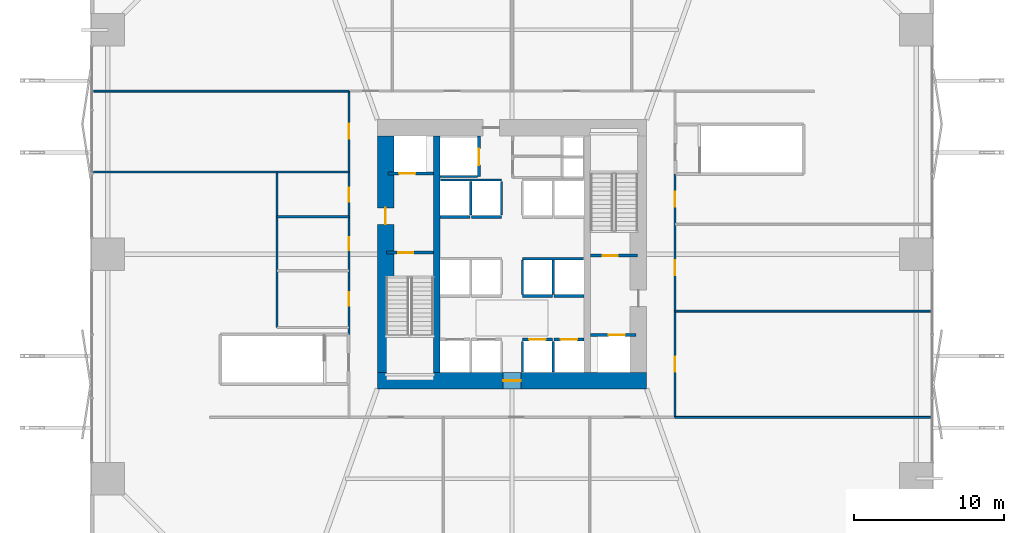
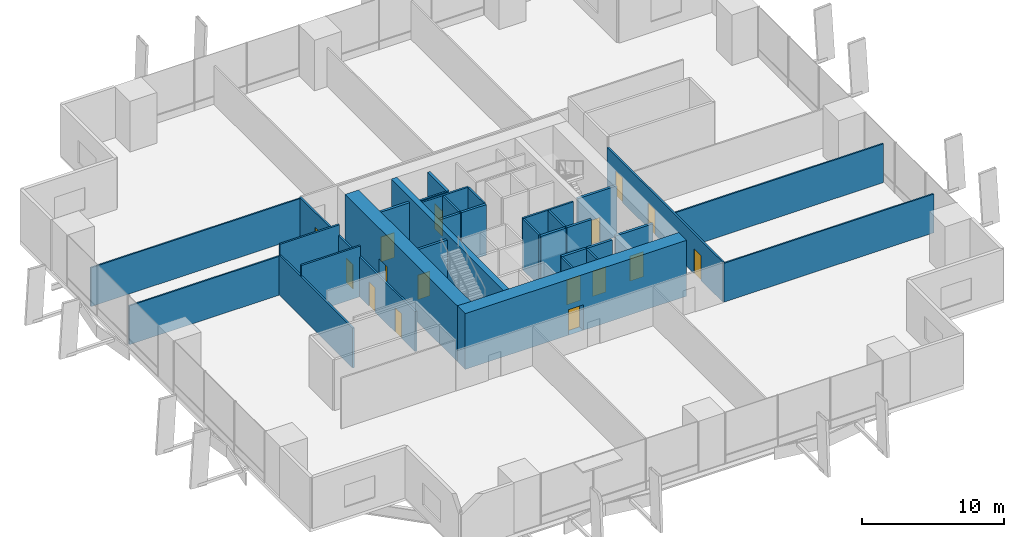
# One storey, part 20 of 24: 32 walls, 16 doors, 16 openings.
"""IFC4 building model written with IfcOpenShell, lengths in metres."""

from ifc_helpers import new_model, si_unit, direction, frame, frame_2d, origin, place, context, subcontext, project, spatial, rectangle, extrude, material, layer, layer_set, type_object, element, fill, save


model = new_model("IFC4")

# Units and contexts
model_context = context("Model", 3, precision=1e-05, world=origin(), true_north=direction((0.0, 1.0)))
body_context = subcontext(model_context, "Body", "Model", "MODEL_VIEW")
ifc_project = project(units=[si_unit("LENGTHUNIT", "METRE"), si_unit("AREAUNIT", "SQUARE_METRE"), si_unit("VOLUMEUNIT", "CUBIC_METRE"), si_unit("PLANEANGLEUNIT", "RADIAN"), si_unit("MASSUNIT", "GRAM", prefix="KILO")], contexts=[model_context])

# Site, building, storey
site_placement = place(None, origin())
site = spatial("IfcSite", under=ifc_project, at=site_placement, CompositionType="ELEMENT")
building_placement = place(site_placement, origin())
building = spatial("IfcBuilding", under=site, at=building_placement, Name="Belovzor Exchange Tower", CompositionType="ELEMENT")
storey_placement = place(building_placement, frame((0.0, 0.0, 19.199951171875)))
storey = spatial("IfcBuildingStorey", under=building, at=storey_placement, Name="L04", CompositionType="ELEMENT", Elevation=19.199951171875)

# Walls
ifc_material_1 = material(Name="Acoustic Plasterboard on Galvanised Studs", Category="gypsum")
ifc_layer_1 = layer(ifc_material_1, 0.1201171875)
ifc_layer_set_1 = layer_set([ifc_layer_1], Name="Acoustic Plasterboard on Galvanised Studs")
wall_type_1 = type_object("IfcWallType", Name="Acoustic Double-Stud Partition Wall 120", PredefinedType="PARTITIONING", material=ifc_layer_set_1)
wall_1_placement = place(storey_placement, frame((39.699951171875, 25.0, 0.0), z_axis=(0.0, 0.0, 1.0), x_axis=(1.0, 0.0, 0.0)))
element("IfcWall", 1, at=wall_1_placement, inside=storey, type_object=wall_type_1, Name="W-P120 Partition Wall W-L04-ED1", PredefinedType="PARTITIONING", context=body_context, shape_type="SweptSolid", body=[
    extrude(rectangle(XDim=17.050048828125, YDim=0.1201171875, at=frame_2d((8.52490234375, 0.0))), origin(), (0.0, 0.0, 1.0), 3.3349609375),
])
wall_2_placement = place(storey_placement, frame((0.85009765625, 34.300048828125, 0.0), z_axis=(0.0, 0.0, 1.0), x_axis=(1.0, 0.0, 0.0)))
element("IfcWall", 2, at=wall_2_placement, inside=storey, type_object=wall_type_1, Name="W-P120 Partition Wall W-L04-W1S", PredefinedType="PARTITIONING", context=body_context, shape_type="SweptSolid", body=[
    extrude(rectangle(XDim=12.25, YDim=0.1201171875, at=frame_2d((6.125, 0.0))), origin(), (0.0, 0.0, 1.0), 3.3349609375),
])
wall_3_placement = place(storey_placement, frame((39.699951171875, 17.89990234375, 0.0), z_axis=(0.0, 0.0, 1.0), x_axis=(1.0, 0.0, 0.0)))
element("IfcWall", 3, at=wall_3_placement, inside=storey, type_object=wall_type_1, Name="W-P120 Partition Wall W-L04-OUT-SE", PredefinedType="PARTITIONING", context=body_context, shape_type="SweptSolid", body=[
    extrude(rectangle(XDim=17.050048828125, YDim=0.1201171875, at=frame_2d((8.52490234375, 0.0))), origin(), (0.0, 0.0, 1.0), 3.3349609375),
])
wall_4_placement = place(storey_placement, frame((0.85009765625, 39.699951171875, 0.0), z_axis=(0.0, 0.0, 1.0), x_axis=(1.0, 0.0, 0.0)))
element("IfcWall", 4, at=wall_4_placement, inside=storey, type_object=wall_type_1, Name="W-P120 Partition Wall W-L04-OUT-NW", PredefinedType="PARTITIONING", context=body_context, shape_type="SweptSolid", body=[
    extrude(rectangle(XDim=17.0498046875, YDim=0.1201171875, at=frame_2d((8.52490234375, 0.0))), origin(), (0.0, 0.0, 1.0), 3.3349609375),
])
ifc_material_2 = material(Name="Fire-Rated Gypsum Block and Mineral Wool", Category="gypsum")
ifc_layer_2 = layer(ifc_material_2, 0.14990234375)
ifc_layer_set_2 = layer_set([ifc_layer_2], Name="Fire-Rated Gypsum Block and Mineral Wool")
wall_type_2 = type_object("IfcWallType", Name="Fire-Rated Gypsum Block Corridor Wall 150", PredefinedType="PARTITIONING", material=ifc_layer_set_2)
wall_5_placement = place(storey_placement, frame((13.10009765625, 23.89990234375, 0.0), z_axis=(0.0, 0.0, 1.0), x_axis=(0.0, 1.0, 0.0)))
element("IfcWall", 5, at=wall_5_placement, inside=storey, type_object=wall_type_2, Name="W-P150 Partition Wall W-L04-WC-W", PredefinedType="PARTITIONING", context=body_context, shape_type="SweptSolid", body=[
    extrude(rectangle(XDim=10.400146484375, YDim=0.14990234375, at=frame_2d((5.2001953125, 0.0))), origin(), (0.0, 0.0, 1.0), 3.43505859375),
])
for number, where, z_axis, x_axis, name in (
    (6, (13.10009765625, 34.300048828125, 0.0), (0.0, 0.0, 1.0), (1.0, 0.0, 0.0), "W-P150 Partition Wall W-L04-WC-N"),
    (7, (13.10009765625, 31.300048828125, 0.0), (0.0, 0.0, 1.0), (1.0, 0.0, 0.0), "W-P150 Partition Wall W-L04-WC-D2"),
):
    element("IfcWall", number, at=place(storey_placement, frame(where, z_axis=z_axis, x_axis=x_axis)), inside=storey, type_object=wall_type_2, Name=name, PredefinedType="PARTITIONING", context=body_context, shape_type="SweptSolid", body=[
        extrude(rectangle(XDim=4.7998046875, YDim=0.14990234375, at=frame_2d((2.39990234375, 0.0))), origin(), (0.0, 0.0, 1.0), 4.35009765625),
    ])

# Wall, openings, doors
wall_6_placement = place(storey_placement, frame((17.89990234375, 23.449951171875, 0.0), z_axis=(0.0, 0.0, 1.0), x_axis=(0.0, 1.0, 0.0)))
wall_6 = element("IfcWall", 8, at=wall_6_placement, inside=storey, type_object=wall_type_2, Name="W-P150 Partition Wall W-L04-CWN", PredefinedType="PARTITIONING", context=body_context, shape_type="SweptSolid", body=[
    extrude(rectangle(XDim=16.25, YDim=0.14990234375, at=frame_2d((8.125, 0.0))), origin(), (0.0, 0.0, 1.0), 3.43505859375),
])
opening_1_placement = place(wall_6_placement, frame((1.89990234375, 0.0, 0.0)))
opening_1 = element("IfcOpeningElement", 9, at=opening_1_placement, cuts=wall_6, Name="Opening D-FD60-090", PredefinedType="OPENING", context=body_context, shape_type="SweptSolid", body=[
    extrude(rectangle(XDim=0.89990234375, YDim=2.10009765625, at=frame_2d((0.449951171875, 1.050048828125))), frame((0.0, 0.0849609375, 0.0), z_axis=(0.0, -1.0, 0.0), x_axis=(1.0, 0.0, 0.0)), (0.0, 0.0, 1.0), 0.169921875),
])
opening_2_placement = place(wall_6_placement, frame((5.60009765625, 0.0, 0.0)))
opening_2 = element("IfcOpeningElement", 10, at=opening_2_placement, cuts=wall_6, Name="Opening D-FD60-090", PredefinedType="OPENING", context=body_context, shape_type="SweptSolid", body=[
    extrude(rectangle(XDim=0.89990234375, YDim=2.10009765625, at=frame_2d((0.449951171875, 1.050048828125))), frame((0.0, 0.0849609375, 0.0), z_axis=(0.0, -1.0, 0.0), x_axis=(1.0, 0.0, 0.0)), (0.0, 0.0, 1.0), 0.169921875),
])
opening_3_placement = place(wall_6_placement, frame((8.85009765625, 0.0, 0.0)))
opening_3 = element("IfcOpeningElement", 11, at=opening_3_placement, cuts=wall_6, Name="Opening D-FD60-095", PredefinedType="OPENING", context=body_context, shape_type="SweptSolid", body=[
    extrude(rectangle(XDim=0.949951171875, YDim=2.10009765625, at=frame_2d((0.47509765625, 1.050048828125))), frame((0.0, 0.0849609375, 0.0), z_axis=(0.0, -1.0, 0.0), x_axis=(1.0, 0.0, 0.0)), (0.0, 0.0, 1.0), 0.169921875),
])
opening_4_placement = place(wall_6_placement, frame((13.074951171875, 0.0, 0.0)))
opening_4 = element("IfcOpeningElement", 12, at=opening_4_placement, cuts=wall_6, Name="Opening D-FD60-105", PredefinedType="OPENING", context=body_context, shape_type="SweptSolid", body=[
    extrude(rectangle(XDim=1.0, YDim=2.14990234375, at=frame_2d((0.5, 1.074951171875))), frame((0.0, 0.0849609375, 0.0), z_axis=(0.0, -1.0, 0.0), x_axis=(1.0, 0.0, 0.0)), (0.0, 0.0, 1.0), 0.169921875),
])
ifc_material_3 = material(Name="Moisture-Resistant Timber Fire Leaf", Category="wood")
door_type_1 = type_object("IfcDoorType", Name="Accessible Restroom Wide Fire Door 950x2100", OperationType="NOTDEFINED", PredefinedType="DOOR", material=ifc_material_3)
door_1_placement = place(opening_3_placement, origin())
door_1 = element("IfcDoor", 13, at=door_1_placement, inside=storey, type_object=door_type_1, Name="D-FD60-095 Accessible Restroom Wide Fire Door 950x2100", OperationType="SINGLE_SWING_LEFT", OverallHeight=2.10009765625, OverallWidth=0.949951171875, PredefinedType="DOOR", context=body_context, shape_type="SweptSolid", body=[
    extrude(rectangle(XDim=0.949951171875, YDim=2.10009765625, at=frame_2d((0.47509765625, 1.050048828125))), frame((0.0, 0.02490234375, 0.0), z_axis=(0.0, -1.0, 0.0), x_axis=(1.0, 0.0, 0.0)), (0.0, 0.0, 1.0), 0.050048828125),
])
fill(opening_3, door_1)
ifc_material_4 = material(Name="Acoustic Timber Fire Leaf", Category="wood")
door_type_2 = type_object("IfcDoorType", Name="Core Service & Restroom Fire Door 900x2100", OperationType="NOTDEFINED", PredefinedType="DOOR", material=ifc_material_4)
door_2_placement = place(opening_1_placement, origin())
door_2 = element("IfcDoor", 14, at=door_2_placement, inside=storey, type_object=door_type_2, Name="D-FD60-090 Core Service & Restroom Fire Door 900x2100", OperationType="SINGLE_SWING_LEFT", OverallHeight=2.10009765625, OverallWidth=0.89990234375, PredefinedType="DOOR", context=body_context, shape_type="SweptSolid", body=[
    extrude(rectangle(XDim=0.89990234375, YDim=2.10009765625, at=frame_2d((0.449951171875, 1.050048828125))), frame((0.0, 0.02490234375, 0.0), z_axis=(0.0, -1.0, 0.0), x_axis=(1.0, 0.0, 0.0)), (0.0, 0.0, 1.0), 0.050048828125),
])
fill(opening_1, door_2)
door_3_placement = place(opening_2_placement, origin())
door_3 = element("IfcDoor", 15, at=door_3_placement, inside=storey, type_object=door_type_2, Name="D-FD60-090 Core Service & Restroom Fire Door 900x2100", OperationType="SINGLE_SWING_RIGHT", OverallHeight=2.10009765625, OverallWidth=0.89990234375, PredefinedType="DOOR", context=body_context, shape_type="SweptSolid", body=[
    extrude(rectangle(XDim=0.89990234375, YDim=2.10009765625, at=frame_2d((0.449951171875, 1.050048828125))), frame((0.0, 0.02490234375, 0.0), z_axis=(0.0, -1.0, 0.0), x_axis=(1.0, 0.0, 0.0)), (0.0, 0.0, 1.0), 0.050048828125),
])
fill(opening_2, door_3)
ifc_material_5 = material(Name="Acoustic Timber Fire Leaf", Category="wood")
door_type_3 = type_object("IfcDoorType", Name="Podium Gallery Acoustic Fire Door 1000x2150", OperationType="NOTDEFINED", PredefinedType="DOOR", material=ifc_material_5)
door_4_placement = place(opening_4_placement, origin())
door_4 = element("IfcDoor", 16, at=door_4_placement, inside=storey, type_object=door_type_3, Name="D-FD60-105 Podium Gallery Acoustic Fire Door 1000x2150", OperationType="SINGLE_SWING_RIGHT", OverallHeight=2.14990234375, OverallWidth=1.0, PredefinedType="DOOR", context=body_context, shape_type="SweptSolid", body=[
    extrude(rectangle(XDim=1.0, YDim=2.14990234375, at=frame_2d((0.5, 1.074951171875))), frame((0.0, 0.02490234375, 0.0), z_axis=(0.0, -1.0, 0.0), x_axis=(1.0, 0.0, 0.0)), (0.0, 0.0, 1.0), 0.050048828125),
])
fill(opening_4, door_4)

wall_7_placement = place(storey_placement, frame((39.699951171875, 17.89990234375, 0.0), z_axis=(0.0, 0.0, 1.0), x_axis=(0.0, 1.0, 0.0)))
wall_7 = element("IfcWall", 17, at=wall_7_placement, inside=storey, type_object=wall_type_2, Name="W-P150 Partition Wall W-L04-CES", PredefinedType="PARTITIONING", context=body_context, shape_type="SweptSolid", body=[
    extrude(rectangle(XDim=16.25, YDim=0.14990234375, at=frame_2d((8.125, 0.0))), origin(), (0.0, 0.0, 1.0), 3.43505859375),
])
opening_5_placement = place(wall_7_placement, frame((3.050048828125, 0.0, 0.0)))
opening_5 = element("IfcOpeningElement", 18, at=opening_5_placement, cuts=wall_7, Name="Opening D-FD60-105", PredefinedType="OPENING", context=body_context, shape_type="SweptSolid", body=[
    extrude(rectangle(XDim=1.0, YDim=2.14990234375, at=frame_2d((0.5, 1.074951171875))), frame((0.0, 0.0849609375, 0.0), z_axis=(0.0, -1.0, 0.0), x_axis=(1.0, 0.0, 0.0)), (0.0, 0.0, 1.0), 0.169921875),
])
opening_6_placement = place(wall_7_placement, frame((9.5, 0.0, 0.0)))
opening_6 = element("IfcOpeningElement", 19, at=opening_6_placement, cuts=wall_7, Name="Opening D-FD60-105", PredefinedType="OPENING", context=body_context, shape_type="SweptSolid", body=[
    extrude(rectangle(XDim=1.0, YDim=2.14990234375, at=frame_2d((0.5, 1.074951171875))), frame((0.0, 0.0849609375, 0.0), z_axis=(0.0, -1.0, 0.0), x_axis=(1.0, 0.0, 0.0)), (0.0, 0.0, 1.0), 0.169921875),
])
opening_7_placement = place(wall_7_placement, frame((14.074951171875, 0.0, 0.0)))
opening_7 = element("IfcOpeningElement", 20, at=opening_7_placement, cuts=wall_7, Name="Opening D-FD60-105", PredefinedType="OPENING", context=body_context, shape_type="SweptSolid", body=[
    extrude(rectangle(XDim=1.0, YDim=2.14990234375, at=frame_2d((0.5, 1.074951171875))), frame((0.0, 0.0849609375, 0.0), z_axis=(0.0, -1.0, 0.0), x_axis=(1.0, 0.0, 0.0)), (0.0, 0.0, 1.0), 0.169921875),
])
door_5_placement = place(opening_5_placement, origin())
door_5 = element("IfcDoor", 21, at=door_5_placement, inside=storey, type_object=door_type_3, Name="D-FD60-105 Podium Gallery Acoustic Fire Door 1000x2150", OperationType="SINGLE_SWING_LEFT", OverallHeight=2.14990234375, OverallWidth=1.0, PredefinedType="DOOR", context=body_context, shape_type="SweptSolid", body=[
    extrude(rectangle(XDim=1.0, YDim=2.14990234375, at=frame_2d((0.5, 1.074951171875))), frame((0.0, 0.02490234375, 0.0), z_axis=(0.0, -1.0, 0.0), x_axis=(1.0, 0.0, 0.0)), (0.0, 0.0, 1.0), 0.050048828125),
])
fill(opening_5, door_5)
door_6_placement = place(opening_6_placement, origin())
door_6 = element("IfcDoor", 22, at=door_6_placement, inside=storey, type_object=door_type_3, Name="D-FD60-105 Podium Gallery Acoustic Fire Door 1000x2150", OperationType="SINGLE_SWING_LEFT", OverallHeight=2.14990234375, OverallWidth=1.0, PredefinedType="DOOR", context=body_context, shape_type="SweptSolid", body=[
    extrude(rectangle(XDim=1.0, YDim=2.14990234375, at=frame_2d((0.5, 1.074951171875))), frame((0.0, 0.02490234375, 0.0), z_axis=(0.0, -1.0, 0.0), x_axis=(1.0, 0.0, 0.0)), (0.0, 0.0, 1.0), 0.050048828125),
])
fill(opening_6, door_6)
door_7_placement = place(opening_7_placement, origin())
door_7 = element("IfcDoor", 23, at=door_7_placement, inside=storey, type_object=door_type_3, Name="D-FD60-105 Podium Gallery Acoustic Fire Door 1000x2150", OperationType="SINGLE_SWING_LEFT", OverallHeight=2.14990234375, OverallWidth=1.0, PredefinedType="DOOR", context=body_context, shape_type="SweptSolid", body=[
    extrude(rectangle(XDim=1.0, YDim=2.14990234375, at=frame_2d((0.5, 1.074951171875))), frame((0.0, 0.02490234375, 0.0), z_axis=(0.0, -1.0, 0.0), x_axis=(1.0, 0.0, 0.0)), (0.0, 0.0, 1.0), 0.050048828125),
])
fill(opening_7, door_7)

# Walls
ifc_material_6 = material(Name="Concrete C50/60", Category="concrete")
ifc_layer_3 = layer(ifc_material_6, 0.449951171875)
ifc_layer_set_3 = layer_set([ifc_layer_3], Name="Concrete C50/60")
wall_type_3 = type_object("IfcWallType", Name="Reinforced Concrete Core Internal Web Wall 450", PredefinedType="SHEAR", material=ifc_layer_set_3)
wall_8_placement = place(storey_placement, frame((23.77490234375, 20.89990234375, 0.0), z_axis=(0.0, 0.0, 1.0), x_axis=(0.0, 1.0, 0.0)))
element("IfcWall", 24, at=wall_8_placement, inside=storey, type_object=wall_type_3, Name="CW-W045 Core Internal Web Wall L04 WL", PredefinedType="SHEAR", context=body_context, shape_type="SweptSolid", body=[
    extrude(rectangle(XDim=15.800048828125, YDim=0.449951171875, at=frame_2d((7.89990234375, 0.0))), origin(), (0.0, 0.0, 1.0), 4.800048828125),
])
ifc_material_7 = material(Name="Concrete C50/60", Category="concrete")
ifc_layer_4 = layer(ifc_material_7, 0.14990234375)
ifc_layer_set_4 = layer_set([ifc_layer_4], Name="Concrete C50/60")
wall_type_4 = type_object("IfcWallType", Name="Reinforced Concrete Core Riser Shear Wall 150", PredefinedType="SHEAR", material=ifc_layer_set_4)
wall_9_placement = place(storey_placement, frame((24.0, 34.0, 0.0), z_axis=(0.0, 0.0, 1.0), x_axis=(1.0, 0.0, 0.0)))
element("IfcWall", 25, at=wall_9_placement, inside=storey, type_object=wall_type_4, Name="W-C150S Core Shaft Wall W-SH-L04-SL-01S", PredefinedType="SHEAR", context=body_context, shape_type="SweptSolid", body=[
    extrude(rectangle(XDim=2.47998046875, YDim=0.14990234375, at=frame_2d((1.239990234375, 0.0))), origin(), (0.0, 0.0, 1.0), 4.35009765625),
])
for number, where, z_axis, x_axis, name in (
    (26, (29.5, 20.919921875, 0.0), (0.0, 0.0, 1.0), (0.0, 1.0, 0.0), "W-C150S Core Shaft Wall W-SHD-L04-PLL-3"),
    (27, (31.550048828125, 20.919921875, 0.0), (0.0, 0.0, 1.0), (0.0, 1.0, 0.0), "W-C150S Core Shaft Wall W-SHD-L04-PLL-4"),
):
    element("IfcWall", number, at=place(storey_placement, frame(where, z_axis=z_axis, x_axis=x_axis)), inside=storey, type_object=wall_type_4, Name=name, PredefinedType="SHEAR", context=body_context, shape_type="SweptSolid", body=[
        extrude(rectangle(XDim=2.06005859375, YDim=0.14990234375, at=frame_2d((1.030029296875, 0.0))), origin(), (0.0, 0.0, 1.0), 4.35009765625),
    ])
wall_10_placement = place(storey_placement, frame((29.5, 28.5, 0.0), z_axis=(0.0, 0.0, 1.0), x_axis=(1.0, 0.0, 0.0)))
element("IfcWall", 28, at=wall_10_placement, inside=storey, type_object=wall_type_4, Name="W-C150S Core Shaft Wall W-SHB-L04-PLM-NE", PredefinedType="SHEAR", context=body_context, shape_type="SweptSolid", body=[
    extrude(rectangle(XDim=4.080078125, YDim=0.14990234375, at=frame_2d((2.0400390625, 0.0))), origin(), (0.0, 0.0, 1.0), 4.35009765625),
])
for number, where, z_axis, x_axis, name in (
    (29, (29.5, 26.1201171875, 0.0), (0.0, 0.0, 1.0), (0.0, 1.0, 0.0), "W-C150S Core Shaft Wall W-SHD-L04-PLM-3"),
    (30, (31.550048828125, 26.1201171875, 0.0), (0.0, 0.0, 1.0), (0.0, 1.0, 0.0), "W-C150S Core Shaft Wall W-SHD-L04-PLM-4"),
):
    element("IfcWall", number, at=place(storey_placement, frame(where, z_axis=z_axis, x_axis=x_axis)), inside=storey, type_object=wall_type_4, Name=name, PredefinedType="SHEAR", context=body_context, shape_type="SweptSolid", body=[
        extrude(rectangle(XDim=2.27978515625, YDim=0.14990234375, at=frame_2d((1.139892578125, 0.0))), origin(), (0.0, 0.0, 1.0), 4.35009765625),
    ])
wall_11_placement = place(storey_placement, frame((24.02001953125, 33.760009765625, 0.0), z_axis=(0.0, 0.0, 1.0), x_axis=(1.0, 0.0, 0.0)))
element("IfcWall", 31, at=wall_11_placement, inside=storey, type_object=wall_type_4, Name="W-C150S Core Shaft Wall W-SHB-L04-PLH-NW", PredefinedType="SHEAR", context=body_context, shape_type="SweptSolid", body=[
    extrude(rectangle(XDim=4.080078125, YDim=0.14990234375, at=frame_2d((2.0400390625, 0.0))), origin(), (0.0, 0.0, 1.0), 4.35009765625),
])
for number, where, z_axis, x_axis, name in (
    (32, (26.050048828125, 31.419921875, 0.0), (0.0, 0.0, 1.0), (0.0, 1.0, 0.0), "W-C150S Core Shaft Wall W-SHD-L04-PLH-1"),
    (33, (28.10009765625, 31.419921875, 0.0), (0.0, 0.0, 1.0), (0.0, 1.0, 0.0), "W-C150S Core Shaft Wall W-SHD-L04-PLH-2"),
):
    element("IfcWall", number, at=place(storey_placement, frame(where, z_axis=z_axis, x_axis=x_axis)), inside=storey, type_object=wall_type_4, Name=name, PredefinedType="SHEAR", context=body_context, shape_type="SweptSolid", body=[
        extrude(rectangle(XDim=2.239990234375, YDim=0.14990234375, at=frame_2d((1.1201171875, 0.0))), origin(), (0.0, 0.0, 1.0), 4.35009765625),
    ])

# Wall, opening, door
ifc_material_8 = material(Name="Concrete C50/60", Category="concrete")
ifc_layer_5 = layer(ifc_material_8, 0.199951171875)
ifc_layer_set_5 = layer_set([ifc_layer_5], Name="Concrete C50/60")
wall_type_5 = type_object("IfcWallType", Name="Reinforced Concrete Core Shaft Shear Wall 200", PredefinedType="SHEAR", material=ifc_layer_set_5)
wall_12_placement = place(storey_placement, frame((20.39990234375, 28.89990234375, 0.0), z_axis=(0.0, 0.0, 1.0), x_axis=(1.0, 0.0, 0.0)))
wall_12 = element("IfcWall", 34, at=wall_12_placement, inside=storey, type_object=wall_type_5, Name="W-C200S Core Shaft Wall W-CORE-L04-FFLW1", PredefinedType="SHEAR", context=body_context, shape_type="SweptSolid", body=[
    extrude(rectangle(XDim=3.150146484375, YDim=0.199951171875, at=frame_2d((1.5751953125, 0.0))), origin(), (0.0, 0.0, 1.0), 4.35009765625),
])
opening_8_placement = place(wall_12_placement, frame((0.800048828125, 0.0, 0.0)))
opening_8 = element("IfcOpeningElement", 35, at=opening_8_placement, cuts=wall_12, Name="Opening D-FD90-100", PredefinedType="OPENING", context=body_context, shape_type="SweptSolid", body=[
    extrude(rectangle(XDim=1.0, YDim=2.10009765625, at=frame_2d((0.5, 1.050048828125))), frame((0.0, 0.10986328125, 0.0), z_axis=(0.0, -1.0, 0.0), x_axis=(1.0, 0.0, 0.0)), (0.0, 0.0, 1.0), 0.219970703125),
])
ifc_material_9 = material(Name="Fire-Rated Galvanised Steel Leaf", Category="steel")
door_type_4 = type_object("IfcDoorType", Name="Protected Stairwell Single Fire Door 1000x2100", OperationType="NOTDEFINED", PredefinedType="DOOR", material=ifc_material_9)
door_8_placement = place(opening_8_placement, origin())
door_8 = element("IfcDoor", 36, at=door_8_placement, inside=storey, type_object=door_type_4, Name="D-FD90-100 Protected Stairwell Single Fire Door 1000x2100", OperationType="SINGLE_SWING_RIGHT", OverallHeight=2.10009765625, OverallWidth=1.0, PredefinedType="DOOR", context=body_context, shape_type="SweptSolid", body=[
    extrude(rectangle(XDim=1.0, YDim=2.10009765625, at=frame_2d((0.5, 1.050048828125))), frame((0.0, 0.02490234375, 0.0), z_axis=(0.0, -1.0, 0.0), x_axis=(1.0, 0.0, 0.0)), (0.0, 0.0, 1.0), 0.050048828125),
])
fill(opening_8, door_8)

wall_13_placement = place(storey_placement, frame((34.050048828125, 28.699951171875, 0.0), z_axis=(0.0, 0.0, 1.0), x_axis=(1.0, 0.0, 0.0)))
wall_13 = element("IfcWall", 37, at=wall_13_placement, inside=storey, type_object=wall_type_5, Name="W-C200S Core Shaft Wall W-CORE-L04-FFLE2", PredefinedType="SHEAR", context=body_context, shape_type="SweptSolid", body=[
    extrude(rectangle(XDim=3.14990234375, YDim=0.199951171875, at=frame_2d((1.574951171875, 0.0))), origin(), (0.0, 0.0, 1.0), 4.35009765625),
])
opening_9_placement = place(wall_13_placement, frame((0.800048828125, 0.0, 0.0)))
opening_9 = element("IfcOpeningElement", 38, at=opening_9_placement, cuts=wall_13, Name="Opening D-FD90-100", PredefinedType="OPENING", context=body_context, shape_type="SweptSolid", body=[
    extrude(rectangle(XDim=1.0, YDim=2.10009765625, at=frame_2d((0.5, 1.050048828125))), frame((0.0, 0.10986328125, 0.0), z_axis=(0.0, -1.0, 0.0), x_axis=(1.0, 0.0, 0.0)), (0.0, 0.0, 1.0), 0.219970703125),
])
door_9_placement = place(opening_9_placement, origin())
door_9 = element("IfcDoor", 39, at=door_9_placement, inside=storey, type_object=door_type_4, Name="D-FD90-100 Protected Stairwell Single Fire Door 1000x2100", OperationType="SINGLE_SWING_LEFT", OverallHeight=2.10009765625, OverallWidth=1.0, PredefinedType="DOOR", context=body_context, shape_type="SweptSolid", body=[
    extrude(rectangle(XDim=1.0, YDim=2.10009765625, at=frame_2d((0.5, 1.050048828125))), frame((0.0, 0.02490234375, 0.0), z_axis=(0.0, -1.0, 0.0), x_axis=(1.0, 0.0, 0.0)), (0.0, 0.0, 1.0), 0.050048828125),
])
fill(opening_9, door_9)

wall_14_placement = place(storey_placement, frame((20.5, 34.199951171875, 0.0), z_axis=(0.0, 0.0, 1.0), x_axis=(1.0, 0.0, 0.0)))
wall_14 = element("IfcWall", 40, at=wall_14_placement, inside=storey, type_object=wall_type_5, Name="W-C200S Core Shaft Wall W-SH-L04-FFL-01", PredefinedType="SHEAR", context=body_context, shape_type="SweptSolid", body=[
    extrude(rectangle(XDim=3.050048828125, YDim=0.199951171875, at=frame_2d((1.52490234375, 0.0))), origin(), (0.0, 0.0, 1.0), 4.35009765625),
])
opening_10_placement = place(wall_14_placement, frame((0.75, 0.0, 0.0)))
opening_10 = element("IfcOpeningElement", 41, at=opening_10_placement, cuts=wall_14, Name="Opening LD-110", PredefinedType="OPENING", context=body_context, shape_type="SweptSolid", body=[
    extrude(rectangle(XDim=1.10009765625, YDim=2.14990234375, at=frame_2d((0.550048828125, 1.074951171875))), frame((0.0, 0.10986328125, 0.0), z_axis=(0.0, -1.0, 0.0), x_axis=(1.0, 0.0, 0.0)), (0.0, 0.0, 1.0), 0.219970703125),
])
ifc_material_10 = material(Name="Stainless Steel Grade 304", Category="steel")
door_type_5 = type_object("IfcDoorType", Name="Automated Stainless Steel Lift Landing Door 1100x2150", OperationType="SLIDING_TO_RIGHT", PredefinedType="DOOR", material=ifc_material_10)
door_10_placement = place(opening_10_placement, origin())
door_10 = element("IfcDoor", 42, at=door_10_placement, inside=storey, type_object=door_type_5, Name="LD-110 Automated Stainless Steel Lift Landing Door 1100x2150", OperationType="SLIDING_TO_RIGHT", OverallHeight=2.14990234375, OverallWidth=1.10009765625, PredefinedType="DOOR", context=body_context, shape_type="SweptSolid", body=[
    extrude(rectangle(XDim=1.10009765625, YDim=2.14990234375, at=frame_2d((0.550048828125, 1.074951171875))), frame((0.0, 0.02490234375, 0.0), z_axis=(0.0, -1.0, 0.0), x_axis=(1.0, 0.0, 0.0)), (0.0, 0.0, 1.0), 0.050048828125),
])
fill(opening_10, door_10)

wall_15_placement = place(storey_placement, frame((34.050048828125, 23.39990234375, 0.0), z_axis=(0.0, 0.0, 1.0), x_axis=(1.0, 0.0, 0.0)))
wall_15 = element("IfcWall", 43, at=wall_15_placement, inside=storey, type_object=wall_type_5, Name="W-C200S Core Shaft Wall W-SH-L04-FFL-02", PredefinedType="SHEAR", context=body_context, shape_type="SweptSolid", body=[
    extrude(rectangle(XDim=3.050048828125, YDim=0.199951171875, at=frame_2d((1.52490234375, 0.0))), origin(), (0.0, 0.0, 1.0), 4.35009765625),
])
opening_11_placement = place(wall_15_placement, frame((1.199951171875, 0.0, 0.0)))
opening_11 = element("IfcOpeningElement", 44, at=opening_11_placement, cuts=wall_15, Name="Opening LD-110", PredefinedType="OPENING", context=body_context, shape_type="SweptSolid", body=[
    extrude(rectangle(XDim=1.10009765625, YDim=2.14990234375, at=frame_2d((0.550048828125, 1.074951171875))), frame((0.0, 0.10986328125, 0.0), z_axis=(0.0, -1.0, 0.0), x_axis=(1.0, 0.0, 0.0)), (0.0, 0.0, 1.0), 0.219970703125),
])
door_11_placement = place(opening_11_placement, origin())
door_11 = element("IfcDoor", 45, at=door_11_placement, inside=storey, type_object=door_type_5, Name="LD-110 Automated Stainless Steel Lift Landing Door 1100x2150", OperationType="SLIDING_TO_RIGHT", OverallHeight=2.14990234375, OverallWidth=1.10009765625, PredefinedType="DOOR", context=body_context, shape_type="SweptSolid", body=[
    extrude(rectangle(XDim=1.10009765625, YDim=2.14990234375, at=frame_2d((0.550048828125, 1.074951171875))), frame((0.0, 0.02490234375, 0.0), z_axis=(0.0, -1.0, 0.0), x_axis=(1.0, 0.0, 0.0)), (0.0, 0.0, 1.0), 0.050048828125),
])
fill(opening_11, door_11)

wall_16_placement = place(storey_placement, frame((26.60009765625, 34.0, 0.0), z_axis=(0.0, 0.0, 1.0), x_axis=(0.0, 1.0, 0.0)))
wall_16 = element("IfcWall", 46, at=wall_16_placement, inside=storey, type_object=wall_type_5, Name="W-C200S Core Shaft Wall W-SH-L04-SL-01", PredefinedType="SHEAR", context=body_context, shape_type="SweptSolid", body=[
    extrude(rectangle(XDim=2.699951171875, YDim=0.199951171875, at=frame_2d((1.35009765625, 0.0))), origin(), (0.0, 0.0, 1.0), 4.35009765625),
])
opening_12_placement = place(wall_16_placement, frame((0.75, 0.0, 0.0)))
opening_12 = element("IfcOpeningElement", 47, at=opening_12_placement, cuts=wall_16, Name="Opening LD-110", PredefinedType="OPENING", context=body_context, shape_type="SweptSolid", body=[
    extrude(rectangle(XDim=1.10009765625, YDim=2.14990234375, at=frame_2d((0.550048828125, 1.074951171875))), frame((0.0, 0.10986328125, 0.0), z_axis=(0.0, -1.0, 0.0), x_axis=(1.0, 0.0, 0.0)), (0.0, 0.0, 1.0), 0.219970703125),
])
door_12_placement = place(opening_12_placement, origin())
door_12 = element("IfcDoor", 48, at=door_12_placement, inside=storey, type_object=door_type_5, Name="LD-110 Automated Stainless Steel Lift Landing Door 1100x2150", OperationType="SLIDING_TO_RIGHT", OverallHeight=2.14990234375, OverallWidth=1.10009765625, PredefinedType="DOOR", context=body_context, shape_type="SweptSolid", body=[
    extrude(rectangle(XDim=1.10009765625, YDim=2.14990234375, at=frame_2d((0.550048828125, 1.074951171875))), frame((0.0, 0.02490234375, 0.0), z_axis=(0.0, -1.0, 0.0), x_axis=(1.0, 0.0, 0.0)), (0.0, 0.0, 1.0), 0.050048828125),
])
fill(opening_12, door_12)

wall_17_placement = place(storey_placement, frame((29.5, 23.10009765625, 0.0), z_axis=(0.0, 0.0, 1.0), x_axis=(1.0, 0.0, 0.0)))
wall_17 = element("IfcWall", 49, at=wall_17_placement, inside=storey, type_object=wall_type_5, Name="W-C200S Core Shaft Wall W-SH-L04-PL-L3", PredefinedType="SHEAR", context=body_context, shape_type="SweptSolid", body=[
    extrude(rectangle(XDim=2.0, YDim=0.199951171875, at=frame_2d((1.0, 0.0))), origin(), (0.0, 0.0, 1.0), 4.35009765625),
])
opening_13_placement = place(wall_17_placement, frame((0.449951171875, 0.0, 0.0)))
opening_13 = element("IfcOpeningElement", 50, at=opening_13_placement, cuts=wall_17, Name="Opening LD-110", PredefinedType="OPENING", context=body_context, shape_type="SweptSolid", body=[
    extrude(rectangle(XDim=1.10009765625, YDim=2.14990234375, at=frame_2d((0.550048828125, 1.074951171875))), frame((0.0, 0.10986328125, 0.0), z_axis=(0.0, -1.0, 0.0), x_axis=(1.0, 0.0, 0.0)), (0.0, 0.0, 1.0), 0.219970703125),
])
door_13_placement = place(opening_13_placement, origin())
door_13 = element("IfcDoor", 51, at=door_13_placement, inside=storey, type_object=door_type_5, Name="LD-110 Automated Stainless Steel Lift Landing Door 1100x2150", OperationType="SLIDING_TO_RIGHT", OverallHeight=2.14990234375, OverallWidth=1.10009765625, PredefinedType="DOOR", context=body_context, shape_type="SweptSolid", body=[
    extrude(rectangle(XDim=1.10009765625, YDim=2.14990234375, at=frame_2d((0.550048828125, 1.074951171875))), frame((0.0, 0.02490234375, 0.0), z_axis=(0.0, -1.0, 0.0), x_axis=(1.0, 0.0, 0.0)), (0.0, 0.0, 1.0), 0.050048828125),
])
fill(opening_13, door_13)

wall_18_placement = place(storey_placement, frame((31.60009765625, 23.10009765625, 0.0), z_axis=(0.0, 0.0, 1.0), x_axis=(1.0, 0.0, 0.0)))
wall_18 = element("IfcWall", 52, at=wall_18_placement, inside=storey, type_object=wall_type_5, Name="W-C200S Core Shaft Wall W-SH-L04-PL-L4", PredefinedType="SHEAR", context=body_context, shape_type="SweptSolid", body=[
    extrude(rectangle(XDim=2.0, YDim=0.199951171875, at=frame_2d((1.0, 0.0))), origin(), (0.0, 0.0, 1.0), 4.35009765625),
])
opening_14_placement = place(wall_18_placement, frame((0.449951171875, 0.0, 0.0)))
opening_14 = element("IfcOpeningElement", 53, at=opening_14_placement, cuts=wall_18, Name="Opening LD-110", PredefinedType="OPENING", context=body_context, shape_type="SweptSolid", body=[
    extrude(rectangle(XDim=1.10009765625, YDim=2.14990234375, at=frame_2d((0.550048828125, 1.074951171875))), frame((0.0, 0.10986328125, 0.0), z_axis=(0.0, -1.0, 0.0), x_axis=(1.0, 0.0, 0.0)), (0.0, 0.0, 1.0), 0.219970703125),
])
door_14_placement = place(opening_14_placement, origin())
door_14 = element("IfcDoor", 54, at=door_14_placement, inside=storey, type_object=door_type_5, Name="LD-110 Automated Stainless Steel Lift Landing Door 1100x2150", OperationType="SLIDING_TO_RIGHT", OverallHeight=2.14990234375, OverallWidth=1.10009765625, PredefinedType="DOOR", context=body_context, shape_type="SweptSolid", body=[
    extrude(rectangle(XDim=1.10009765625, YDim=2.14990234375, at=frame_2d((0.550048828125, 1.074951171875))), frame((0.0, 0.02490234375, 0.0), z_axis=(0.0, -1.0, 0.0), x_axis=(1.0, 0.0, 0.0)), (0.0, 0.0, 1.0), 0.050048828125),
])
fill(opening_14, door_14)

# Walls
for number, where, z_axis, x_axis, name in (
    (55, (29.5, 26.0, 0.0), (0.0, 0.0, 1.0), (1.0, 0.0, 0.0), "W-C200S Core Shaft Wall W-SH-L04-PL-M3"),
    (56, (31.60009765625, 26.0, 0.0), (0.0, 0.0, 1.0), (1.0, 0.0, 0.0), "W-C200S Core Shaft Wall W-SH-L04-PL-M4"),
    (57, (24.0, 31.300048828125, 0.0), (0.0, 0.0, 1.0), (1.0, 0.0, 0.0), "W-C200S Core Shaft Wall W-SH-L04-PL-H1"),
    (58, (26.10009765625, 31.300048828125, 0.0), (0.0, 0.0, 1.0), (1.0, 0.0, 0.0), "W-C200S Core Shaft Wall W-SH-L04-PL-H2"),
):
    element("IfcWall", number, at=place(storey_placement, frame(where, z_axis=z_axis, x_axis=x_axis)), inside=storey, type_object=wall_type_5, Name=name, PredefinedType="SHEAR", context=body_context, shape_type="SweptSolid", body=[
        extrude(rectangle(XDim=2.0, YDim=0.199951171875, at=frame_2d((1.0, 0.0))), origin(), (0.0, 0.0, 1.0), 4.35009765625),
    ])

# Wall, opening, door
ifc_material_11 = material(Name="Concrete C60/75", Category="concrete")
ifc_layer_6 = layer(ifc_material_11, 1.10009765625)
ifc_layer_set_6 = layer_set([ifc_layer_6], Name="Concrete C60/75")
wall_type_6 = type_object("IfcWallType", Name="Reinforced Concrete Core Shear Wall 1100", PredefinedType="SHEAR", material=ifc_layer_set_6)
wall_19_placement = place(storey_placement, frame((19.800048828125, 20.35009765625, 0.0), z_axis=(0.0, 0.0, 1.0), x_axis=(1.0, 0.0, 0.0)))
wall_19 = element("IfcWall", 59, at=wall_19_placement, inside=storey, type_object=wall_type_6, Name="CW-S110 Core Shear Wall L04 S", PredefinedType="SHEAR", context=body_context, shape_type="SweptSolid", body=[
    extrude(rectangle(XDim=18.0, YDim=1.10009765625, at=frame_2d((9.0, 0.0))), origin(), (0.0, 0.0, 1.0), 4.800048828125),
])
opening_15_placement = place(wall_19_placement, frame((8.39990234375, 0.0, 0.0)))
opening_15 = element("IfcOpeningElement", 60, at=opening_15_placement, cuts=wall_19, Name="Opening D-FD90-120", PredefinedType="OPENING", context=body_context, shape_type="SweptSolid", body=[
    extrude(rectangle(XDim=1.199951171875, YDim=2.199951171875, at=frame_2d((0.60009765625, 1.10009765625))), frame((0.0, 0.56005859375, 0.0), z_axis=(0.0, -1.0, 0.0), x_axis=(1.0, 0.0, 0.0)), (0.0, 0.0, 1.0), 1.1201171875),
])
ifc_material_12 = material(Name="Fire-Rated Galvanised Steel Leaf", Category="steel")
door_type_6 = type_object("IfcDoorType", Name="Heavy Plant & Foyer Fire Door 1200x2200", OperationType="NOTDEFINED", PredefinedType="DOOR", material=ifc_material_12)
door_15_placement = place(opening_15_placement, origin())
door_15 = element("IfcDoor", 61, at=door_15_placement, inside=storey, type_object=door_type_6, Name="D-FD90-120 Heavy Plant & Foyer Fire Door 1200x2200", OperationType="SINGLE_SWING_LEFT", OverallHeight=2.199951171875, OverallWidth=1.199951171875, PredefinedType="DOOR", context=body_context, shape_type="SweptSolid", body=[
    extrude(rectangle(XDim=1.199951171875, YDim=2.199951171875, at=frame_2d((0.60009765625, 1.10009765625))), frame((0.0, 0.02490234375, 0.0), z_axis=(0.0, -1.0, 0.0), x_axis=(1.0, 0.0, 0.0)), (0.0, 0.0, 1.0), 0.050048828125),
])
fill(opening_15, door_15)

wall_20_placement = place(storey_placement, frame((20.35009765625, 20.89990234375, 0.0), z_axis=(0.0, 0.0, 1.0), x_axis=(0.0, 1.0, 0.0)))
wall_20 = element("IfcWall", 62, at=wall_20_placement, inside=storey, type_object=wall_type_6, Name="CW-S110 Core Shear Wall L04 W", PredefinedType="SHEAR", context=body_context, shape_type="SweptSolid", body=[
    extrude(rectangle(XDim=15.800048828125, YDim=1.10009765625, at=frame_2d((7.89990234375, 0.0))), origin(), (0.0, 0.0, 1.0), 4.800048828125),
])
opening_16_placement = place(wall_20_placement, frame((9.89990234375, 0.0, 0.0)))
opening_16 = element("IfcOpeningElement", 63, at=opening_16_placement, cuts=wall_20, Name="Opening D-FD90-110", PredefinedType="OPENING", context=body_context, shape_type="SweptSolid", body=[
    extrude(rectangle(XDim=1.10009765625, YDim=2.14990234375, at=frame_2d((0.550048828125, 1.074951171875))), frame((0.0, 0.56005859375, 0.0), z_axis=(0.0, -1.0, 0.0), x_axis=(1.0, 0.0, 0.0)), (0.0, 0.0, 1.0), 1.1201171875),
])
ifc_material_13 = material(Name="Fire-Rated Galvanised Steel Leaf", Category="steel")
door_type_7 = type_object("IfcDoorType", Name="Protected Escape Vestibule Fire Door 1100x2150", OperationType="NOTDEFINED", PredefinedType="DOOR", material=ifc_material_13)
door_16_placement = place(opening_16_placement, origin())
door_16 = element("IfcDoor", 64, at=door_16_placement, inside=storey, type_object=door_type_7, Name="D-FD90-110 Protected Escape Vestibule Fire Door 1100x2150", OperationType="SINGLE_SWING_LEFT", OverallHeight=2.14990234375, OverallWidth=1.10009765625, PredefinedType="DOOR", context=body_context, shape_type="SweptSolid", body=[
    extrude(rectangle(XDim=1.10009765625, YDim=2.14990234375, at=frame_2d((0.550048828125, 1.074951171875))), frame((0.0, 0.02490234375, 0.0), z_axis=(0.0, -1.0, 0.0), x_axis=(1.0, 0.0, 0.0)), (0.0, 0.0, 1.0), 0.050048828125),
])
fill(opening_16, door_16)

save(model, "model.ifc")
